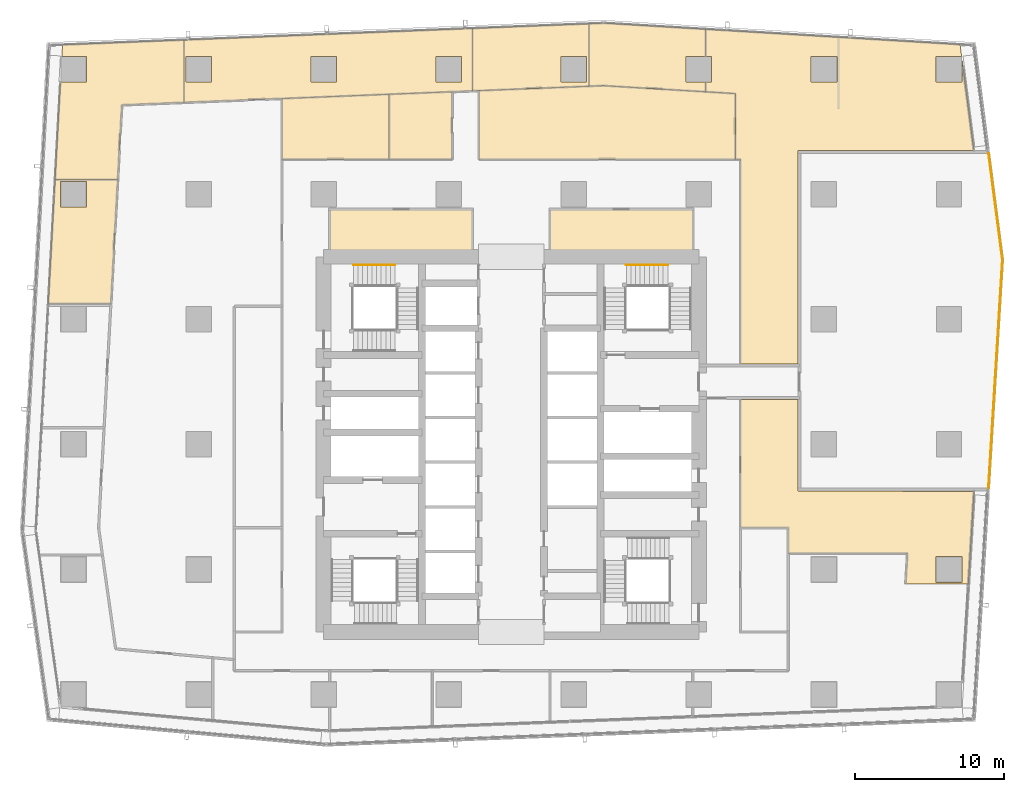
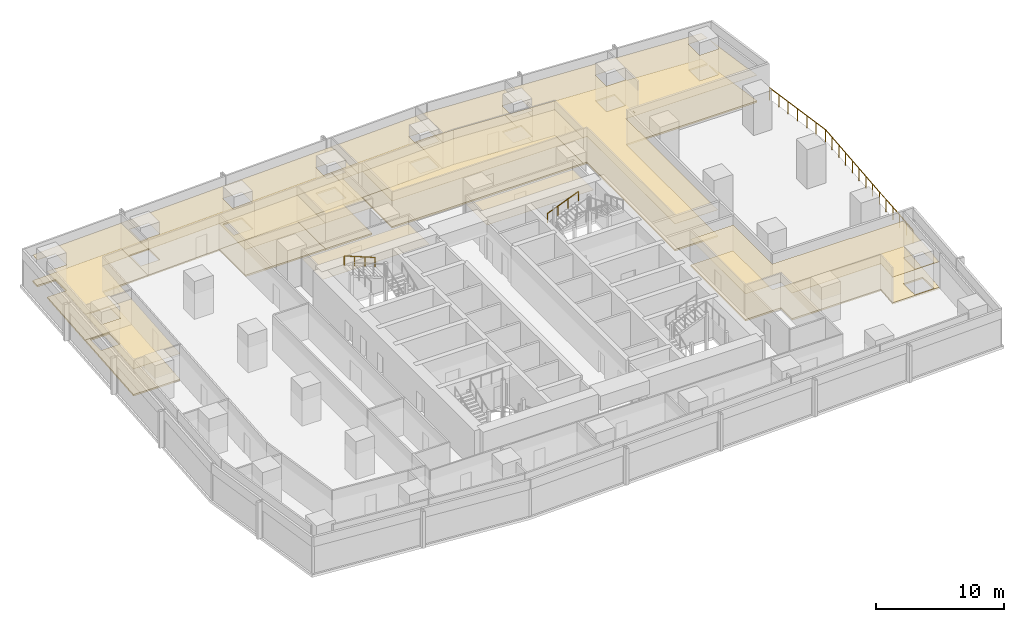
# One storey, part 40 of 40: 22 coverings, 3 railings.
"""IFC4 building model written with IfcOpenShell, lengths in metres."""

from ifc_helpers import new_model, si_unit, direction, frame, origin, origin_2d, place, context, subcontext, project, spatial, polyline, circle, outline, extrude, material, layer, layer_set, type_object, element, save


model = new_model("IFC4")

# Units and contexts
model_context = context("Model", 3, precision=1e-05, world=origin(), true_north=direction((0.0, 1.0)))
body_context = subcontext(model_context, "Body", "Model", "MODEL_VIEW")
ifc_project = project(units=[si_unit("LENGTHUNIT", "METRE"), si_unit("AREAUNIT", "SQUARE_METRE"), si_unit("VOLUMEUNIT", "CUBIC_METRE"), si_unit("PLANEANGLEUNIT", "RADIAN"), si_unit("MASSUNIT", "GRAM", prefix="KILO")], contexts=[model_context])

# Site, building, storey
site_placement = place(None, origin())
site = spatial("IfcSite", under=ifc_project, at=site_placement, CompositionType="ELEMENT")
building_placement = place(site_placement, origin())
building = spatial("IfcBuilding", under=site, at=building_placement, Name="Rekha Terrace Tower", CompositionType="ELEMENT")
storey_placement = place(building_placement, frame((0.0, 0.0, 129.050048828125)))
storey = spatial("IfcBuildingStorey", under=building, at=storey_placement, Name="L32", CompositionType="ELEMENT", Elevation=129.050048828125)

# Coverings
ifc_material_1 = material(Name="Mineral fibre tile in exposed grid", Category="finish")
ifc_layer_1 = layer(ifc_material_1, 0.02001953125)
ifc_layer_set_1 = layer_set([ifc_layer_1], Name="Mineral fibre tile in exposed grid")
covering_type_1 = type_object("IfcCoveringType", Name="CL1 600x1200 office grid ceiling", PredefinedType="CEILING", material=ifc_layer_set_1)
covering_1_placement = place(storey_placement, frame((0.0, 0.0, 2.579833984375)))
element("IfcCovering", 1, at=covering_1_placement, inside=storey, type_object=covering_type_1, Name="Ceiling L32-02", PredefinedType="CEILING", context=body_context, shape_type="SweptSolid", body=[
    extrude(outline(polyline([(64.083984375, 30.47705078125), (57.049072265625, 30.47705078125), (57.049072265625, 36.59912109375), (53.199951171875, 36.59912109375), (53.199951171875, 28.0), (56.39990234375, 28.0), (56.39990234375, 26.277099609375), (64.4208984375, 26.277099609375), (64.2958984375, 24.23291015625), (68.50390625, 24.23291015625), (68.885009765625, 30.445068359375), (64.083984375, 30.445068359375), (64.083984375, 30.47705078125)]), holes=[polyline([(68.06494140625, 24.3349609375), (66.3349609375, 24.3349609375), (66.3349609375, 26.06494140625), (68.06494140625, 26.06494140625), (68.06494140625, 24.3349609375)])]), origin(), (0.0, 0.0, 1.0), 0.02001953125),
])
covering_2_placement = place(storey_placement, frame((0.0, 0.0, 2.579833984375)))
element("IfcCovering", 2, at=covering_2_placement, inside=storey, type_object=covering_type_1, Name="Ceiling L32-03", PredefinedType="CEILING", context=body_context, shape_type="SweptSolid", body=[
    extrude(outline(polyline([(52.84912109375, 52.75), (53.199951171875, 52.75), (53.199951171875, 39.0009765625), (57.049072265625, 39.0009765625), (57.049072265625, 53.325927734375), (64.073974609375, 53.326904296875), (68.8779296875, 53.326904296875), (68.0849609375, 59.416015625), (68.06494140625, 59.4150390625), (68.06494140625, 57.93505859375), (66.3349609375, 57.93505859375), (66.3349609375, 59.6650390625), (68.052978515625, 59.6650390625), (67.948974609375, 60.462890625), (59.7880859375, 60.952880859375), (59.7880859375, 56.154052734375), (59.787109375, 56.154052734375), (59.787109375, 60.9541015625), (50.85302734375, 61.489990234375), (50.85302734375, 59.6650390625), (51.264892578125, 59.6650390625), (51.264892578125, 57.93505859375), (50.85302734375, 57.93505859375), (50.85302734375, 57.282958984375), (52.84912109375, 57.1630859375), (52.84912109375, 52.75)]), holes=[polyline([(59.6650390625, 57.93505859375), (57.93505859375, 57.93505859375), (57.93505859375, 59.6650390625), (59.6650390625, 59.6650390625), (59.6650390625, 57.93505859375)])]), origin(), (0.0, 0.0, 1.0), 0.02001953125),
])
covering_3_placement = place(storey_placement, frame((0.0, 0.0, 2.579833984375)))
element("IfcCovering", 3, at=covering_3_placement, inside=storey, type_object=covering_type_1, Name="Ceiling L32-04", PredefinedType="CEILING", context=body_context, shape_type="SweptSolid", body=[
    extrude(outline(polyline([(44.0380859375, 61.89990234375), (43.02392578125, 61.85888671875), (43.02392578125, 57.656005859375), (43.99609375, 57.695068359375), (50.85205078125, 57.282958984375), (50.85205078125, 57.93505859375), (49.534912109375, 57.93505859375), (49.534912109375, 59.6650390625), (50.85205078125, 59.6650390625), (50.85205078125, 61.490966796875), (44.0380859375, 61.89990234375)])), origin(), (0.0, 0.0, 1.0), 0.02001953125),
])
covering_4_placement = place(storey_placement, frame((0.0, 0.0, 2.579833984375)))
element("IfcCovering", 4, at=covering_4_placement, inside=storey, type_object=covering_type_1, Name="Ceiling L32-05", PredefinedType="CEILING", context=body_context, shape_type="SweptSolid", body=[
    extrude(outline(polyline([(35.198974609375, 61.5458984375), (35.198974609375, 57.342041015625), (35.56689453125, 57.35693359375), (35.6259765625, 57.360107421875), (43.02294921875, 57.656005859375), (43.02294921875, 61.85888671875), (35.198974609375, 61.5458984375)]), holes=[polyline([(42.864990234375, 57.93505859375), (41.135009765625, 57.93505859375), (41.135009765625, 59.6650390625), (42.864990234375, 59.6650390625), (42.864990234375, 57.93505859375)])]), origin(), (0.0, 0.0, 1.0), 0.02001953125),
])
covering_5_placement = place(storey_placement, frame((0.0, 0.0, 2.579833984375)))
element("IfcCovering", 5, at=covering_5_placement, inside=storey, type_object=covering_type_1, Name="Ceiling L32-06", PredefinedType="CEILING", context=body_context, shape_type="SweptSolid", body=[
    extrude(outline(polyline([(35.197998046875, 61.5458984375), (25.60302734375, 61.160888671875), (15.81494140625, 60.76904296875), (15.81494140625, 56.56591796875), (25.59912109375, 56.9580078125), (35.197998046875, 57.342041015625), (35.197998046875, 61.5458984375)]), holes=[polyline([(34.465087890625, 57.93505859375), (32.735107421875, 57.93505859375), (32.735107421875, 59.6650390625), (34.465087890625, 59.6650390625), (34.465087890625, 57.93505859375)]), polyline([(26.06494140625, 57.93505859375), (24.3349609375, 57.93505859375), (24.3349609375, 59.6650390625), (26.06494140625, 59.6650390625), (26.06494140625, 57.93505859375)]), polyline([(17.6650390625, 57.93505859375), (15.93505859375, 57.93505859375), (15.93505859375, 59.6650390625), (17.6650390625, 59.6650390625), (17.6650390625, 57.93505859375)])]), origin(), (0.0, 0.0, 1.0), 0.02001953125),
])
covering_6_placement = place(storey_placement, frame((0.0, 0.0, 2.579833984375)))
element("IfcCovering", 6, at=covering_6_placement, inside=storey, type_object=covering_type_1, Name="Ceiling L32-07", PredefinedType="CEILING", context=body_context, shape_type="SweptSolid", body=[
    extrude(outline(polyline([(7.51611328125, 57.93505859375), (7.156005859375, 51.37890625), (11.362060546875, 51.37890625), (11.637939453125, 56.39794921875), (15.81396484375, 56.56591796875), (15.81396484375, 60.76904296875), (7.653076171875, 60.44189453125), (7.610107421875, 59.6650390625), (9.264892578125, 59.6650390625), (9.264892578125, 57.93505859375), (7.51611328125, 57.93505859375)])), origin(), (0.0, 0.0, 1.0), 0.02001953125),
])
covering_7_placement = place(storey_placement, frame((0.0, 0.0, 2.579833984375)))
element("IfcCovering", 7, at=covering_7_placement, inside=storey, type_object=covering_type_1, Name="Ceiling L32-08", PredefinedType="CEILING", context=body_context, shape_type="SweptSolid", body=[
    extrude(outline(polyline([(11.362060546875, 51.3779296875), (7.156005859375, 51.3779296875), (6.698974609375, 43.0458984375), (10.905029296875, 43.0458984375), (11.362060546875, 51.3779296875)]), holes=[polyline([(9.264892578125, 51.264892578125), (9.264892578125, 49.534912109375), (7.534912109375, 49.534912109375), (7.534912109375, 51.264892578125), (9.264892578125, 51.264892578125)])]), origin(), (0.0, 0.0, 1.0), 0.02001953125),
])
covering_8_placement = place(storey_placement, frame((0.0, 0.0, 2.579833984375)))
element("IfcCovering", 8, at=covering_8_placement, inside=storey, type_object=covering_type_1, Name="Ceiling L32-09", PredefinedType="CEILING", context=body_context, shape_type="SweptSolid", body=[
    extrude(outline(polyline([(22.39990234375, 52.75), (29.60009765625, 52.75), (29.60009765625, 57.117919921875), (25.31103515625, 56.946044921875), (22.39990234375, 56.830078125), (22.39990234375, 52.75)])), origin(), (0.0, 0.0, 1.0), 0.02001953125),
])
covering_9_placement = place(storey_placement, frame((0.0, 0.0, 2.579833984375)))
element("IfcCovering", 9, at=covering_9_placement, inside=storey, type_object=covering_type_1, Name="Ceiling L32-10", PredefinedType="CEILING", context=body_context, shape_type="SweptSolid", body=[
    extrude(outline(polyline([(33.825927734375, 52.75), (33.825927734375, 57.287109375), (32.60009765625, 57.238037109375), (29.60009765625, 57.117919921875), (29.60009765625, 52.75), (33.825927734375, 52.75)])), origin(), (0.0, 0.0, 1.0), 0.02001953125),
])
covering_10_placement = place(storey_placement, frame((0.0, 0.0, 2.579833984375)))
element("IfcCovering", 10, at=covering_10_placement, inside=storey, type_object=covering_type_1, Name="Ceiling L32-O2", PredefinedType="CEILING", context=body_context, shape_type="SweptSolid", body=[
    extrude(outline(polyline([(43.99609375, 57.695068359375), (43.02392578125, 57.656005859375), (35.6259765625, 57.360107421875), (35.6259765625, 52.75), (52.84912109375, 52.75), (52.84912109375, 57.1630859375), (50.85205078125, 57.282958984375), (43.99609375, 57.695068359375)])), origin(), (0.0, 0.0, 1.0), 0.02001953125),
])
ifc_material_2 = material(Name="Fibre cement board", Category="finish")
ifc_layer_2 = layer(ifc_material_2, 0.014892578125)
ifc_layer_set_2 = layer_set([ifc_layer_2], Name="Fibre cement board")
covering_type_2 = type_object("IfcCoveringType", Name="CL2 moisture-resistant board ceiling", PredefinedType="CEILING", material=ifc_layer_set_2)
covering_11_placement = place(storey_placement, frame((0.0, 0.0, 2.5849609375)))
element("IfcCovering", 11, at=covering_11_placement, inside=storey, type_object=covering_type_2, Name="Ceiling L32-WCF", PredefinedType="CEILING", context=body_context, shape_type="SweptSolid", body=[
    extrude(outline(polyline([(50.0, 49.39990234375), (40.39990234375, 49.39990234375), (40.39990234375, 46.199951171875), (50.0, 46.199951171875), (50.0, 49.39990234375)])), origin(), (0.0, 0.0, 1.0), 0.014892578125),
])
covering_12_placement = place(storey_placement, frame((0.0, 0.0, 2.5849609375)))
element("IfcCovering", 12, at=covering_12_placement, inside=storey, type_object=covering_type_2, Name="Ceiling L32-WCF2", PredefinedType="CEILING", context=body_context, shape_type="SweptSolid", body=[
    extrude(outline(polyline([(35.199951171875, 49.39990234375), (25.60009765625, 49.39990234375), (25.60009765625, 46.199951171875), (35.199951171875, 46.199951171875), (35.199951171875, 49.39990234375)])), origin(), (0.0, 0.0, 1.0), 0.014892578125),
])

# Railings
ifc_material_3 = material(Name="Steel guard with vertical balusters", Category="steel")
railing_type_1 = type_object("IfcRailingType", Name="GR2 refuge area guard 1200", PredefinedType="GUARDRAIL", material=ifc_material_3)
railing_1_placement = place(storey_placement, frame((69.860107421875, 30.677978515625, 0.0)))
element("IfcRailing", 13, at=railing_1_placement, inside=storey, type_object=railing_type_1, Name="Refuge area guard L32", PredefinedType="GUARDRAIL", context=body_context, shape_type="SweptSolid", body=[
    extrude(circle(Radius=0.02392578125, at=origin_2d()), frame((0.0, 0.0, 1.17578125), z_axis=(0.061211242772, 0.998124833755, 0.0), x_axis=(-0.998124833755, 0.061211242772, 0.0)), (0.0, 0.0, 1.0), 15.355712890625),
    extrude(circle(Radius=0.02392578125, at=origin_2d()), frame((0.93994140625, 15.326904296875, 1.17578125), z_axis=(-0.129238885934, 0.991613488393, 0.0), x_axis=(-0.991613488393, -0.129238885934, 0.0)), (0.0, 0.0, 1.0), 7.180419921875),
    extrude(circle(Radius=0.02099609375, at=origin_2d()), origin(), (0.0, 0.0, 1.0), 1.15185546875),
    extrude(circle(Radius=0.02099609375, at=origin_2d()), frame((0.072265625, 1.178955078125, 0.0)), (0.0, 0.0, 1.0), 1.15185546875),
    extrude(circle(Radius=0.02099609375, at=origin_2d()), frame((0.14453125, 2.35791015625, 0.0)), (0.0, 0.0, 1.0), 1.15185546875),
    extrude(circle(Radius=0.02099609375, at=origin_2d()), frame((0.216796875, 3.536865234375, 0.0)), (0.0, 0.0, 1.0), 1.15185546875),
    extrude(circle(Radius=0.02099609375, at=origin_2d()), frame((0.289306640625, 4.716064453125, 0.0)), (0.0, 0.0, 1.0), 1.15185546875),
    extrude(circle(Radius=0.02099609375, at=origin_2d()), frame((0.361572265625, 5.89501953125, 0.0)), (0.0, 0.0, 1.0), 1.15185546875),
    extrude(circle(Radius=0.02099609375, at=origin_2d()), frame((0.433837890625, 7.073974609375, 0.0)), (0.0, 0.0, 1.0), 1.15185546875),
    extrude(circle(Radius=0.02099609375, at=origin_2d()), frame((0.506103515625, 8.2529296875, 0.0)), (0.0, 0.0, 1.0), 1.15185546875),
    extrude(circle(Radius=0.02099609375, at=origin_2d()), frame((0.578369140625, 9.431884765625, 0.0)), (0.0, 0.0, 1.0), 1.15185546875),
    extrude(circle(Radius=0.02099609375, at=origin_2d()), frame((0.650634765625, 10.61083984375, 0.0)), (0.0, 0.0, 1.0), 1.15185546875),
    extrude(circle(Radius=0.02099609375, at=origin_2d()), frame((0.72314453125, 11.7900390625, 0.0)), (0.0, 0.0, 1.0), 1.15185546875),
    extrude(circle(Radius=0.02099609375, at=origin_2d()), frame((0.79541015625, 12.968994140625, 0.0)), (0.0, 0.0, 1.0), 1.15185546875),
    extrude(circle(Radius=0.02099609375, at=origin_2d()), frame((0.86767578125, 14.14794921875, 0.0)), (0.0, 0.0, 1.0), 1.15185546875),
    extrude(circle(Radius=0.02099609375, at=origin_2d()), frame((0.93994140625, 15.326904296875, 0.0)), (0.0, 0.0, 1.0), 1.15185546875),
    extrude(circle(Radius=0.02099609375, at=origin_2d()), frame((0.78515625, 16.513671875, 0.0)), (0.0, 0.0, 1.0), 1.15185546875),
    extrude(circle(Radius=0.02099609375, at=origin_2d()), frame((0.630615234375, 17.7001953125, 0.0)), (0.0, 0.0, 1.0), 1.15185546875),
    extrude(circle(Radius=0.02099609375, at=origin_2d()), frame((0.47607421875, 18.886962890625, 0.0)), (0.0, 0.0, 1.0), 1.15185546875),
    extrude(circle(Radius=0.02099609375, at=origin_2d()), frame((0.3212890625, 20.07373046875, 0.0)), (0.0, 0.0, 1.0), 1.15185546875),
    extrude(circle(Radius=0.02099609375, at=origin_2d()), frame((0.16650390625, 21.26025390625, 0.0)), (0.0, 0.0, 1.0), 1.15185546875),
    extrude(circle(Radius=0.02099609375, at=origin_2d()), frame((0.011962890625, 22.447021484375, 0.0)), (0.0, 0.0, 1.0), 1.15185546875),
])
ifc_material_4 = material(Name="Stainless steel tube", Category="steel")
railing_type_2 = type_object("IfcRailingType", Name="HR1 900 stair handrail", PredefinedType="HANDRAIL", material=ifc_material_4)
railing_2_placement = place(storey_placement, frame((45.52490234375, 45.639892578125, 1.375)))
element("IfcRailing", 14, at=railing_2_placement, inside=storey, type_object=railing_type_2, Name="Handrail ST2 L32 flight 2", PredefinedType="HANDRAIL", context=body_context, shape_type="SweptSolid", body=[
    extrude(circle(Radius=0.02392578125, at=origin_2d()), frame((0.0, 0.0, 0.8759765625), z_axis=(0.927443287984, 0.0, 0.373963831907), x_axis=(0.0, 1.0, 0.0)), (0.0, 0.0, 1.0), 3.00830078125),
    extrude(circle(Radius=0.02099609375, at=origin_2d()), origin(), (0.0, 0.0, 1.0), 0.851806640625),
    extrude(circle(Radius=0.02099609375, at=origin_2d()), frame((0.929931640625, 0.0, 0.375)), (0.0, 0.0, 1.0), 0.851806640625),
    extrude(circle(Radius=0.02099609375, at=origin_2d()), frame((1.860107421875, 0.0, 0.75)), (0.0, 0.0, 1.0), 0.851806640625),
    extrude(circle(Radius=0.02099609375, at=origin_2d()), frame((2.7900390625, 0.0, 1.125)), (0.0, 0.0, 1.0), 0.851806640625),
])
railing_3_placement = place(storey_placement, frame((29.989990234375, 45.639892578125, 2.625)))
element("IfcRailing", 15, at=railing_3_placement, inside=storey, type_object=railing_type_2, Name="Handrail ST4 L32 flight 3", PredefinedType="HANDRAIL", context=body_context, shape_type="SweptSolid", body=[
    extrude(circle(Radius=0.02392578125, at=origin_2d()), frame((0.0, 0.0, 0.8759765625), z_axis=(-0.927443287984, 0.0, 0.373963831907), x_axis=(0.0, -1.0, 0.0)), (0.0, 0.0, 1.0), 3.00830078125),
    extrude(circle(Radius=0.02099609375, at=origin_2d()), origin(), (0.0, 0.0, 1.0), 0.851806640625),
    extrude(circle(Radius=0.02099609375, at=origin_2d()), frame((-0.929931640625, 0.0, 0.375)), (0.0, 0.0, 1.0), 0.851806640625),
    extrude(circle(Radius=0.02099609375, at=origin_2d()), frame((-1.860107421875, 0.0, 0.75)), (0.0, 0.0, 1.0), 0.851806640625),
    extrude(circle(Radius=0.02099609375, at=origin_2d()), frame((-2.7900390625, 0.0, 1.125)), (0.0, 0.0, 1.0), 0.851806640625),
])

# Coverings
ifc_material_5 = material(Name="Calcium sulphate panels on steel pedestals", Category="steel")
ifc_layer_3 = layer(ifc_material_5, 0.14990234375)
ifc_layer_set_3 = layer_set([ifc_layer_3], Name="Calcium sulphate panels on steel pedestals")
covering_type_3 = type_object("IfcCoveringType", Name="RF1 150 raised access floor", PredefinedType="FLOORING", material=ifc_layer_set_3)
covering_13_placement = place(storey_placement, origin())
element("IfcCovering", 16, at=covering_13_placement, inside=storey, type_object=covering_type_3, Name="Raised floor L32-02", PredefinedType="FLOORING", context=body_context, shape_type="SweptSolid", body=[
    extrude(outline(polyline([(64.083984375, 30.47705078125), (57.049072265625, 30.47705078125), (57.049072265625, 36.59912109375), (53.199951171875, 36.59912109375), (53.199951171875, 28.0), (56.39990234375, 28.0), (56.39990234375, 26.277099609375), (64.4208984375, 26.277099609375), (64.2958984375, 24.23291015625), (68.50390625, 24.23291015625), (68.885009765625, 30.445068359375), (64.083984375, 30.445068359375), (64.083984375, 30.47705078125)]), holes=[polyline([(68.06494140625, 24.3349609375), (66.3349609375, 24.3349609375), (66.3349609375, 26.06494140625), (68.06494140625, 26.06494140625), (68.06494140625, 24.3349609375)])]), origin(), (0.0, 0.0, 1.0), 0.14990234375),
])
covering_14_placement = place(storey_placement, origin())
element("IfcCovering", 17, at=covering_14_placement, inside=storey, type_object=covering_type_3, Name="Raised floor L32-03", PredefinedType="FLOORING", context=body_context, shape_type="SweptSolid", body=[
    extrude(outline(polyline([(52.84912109375, 52.75), (53.199951171875, 52.75), (53.199951171875, 39.0009765625), (57.049072265625, 39.0009765625), (57.049072265625, 53.325927734375), (64.073974609375, 53.326904296875), (68.8779296875, 53.326904296875), (68.0849609375, 59.416015625), (68.06494140625, 59.4150390625), (68.06494140625, 57.93505859375), (66.3349609375, 57.93505859375), (66.3349609375, 59.6650390625), (68.052978515625, 59.6650390625), (67.948974609375, 60.462890625), (59.7880859375, 60.952880859375), (59.7880859375, 56.154052734375), (59.787109375, 56.154052734375), (59.787109375, 60.9541015625), (50.85302734375, 61.489990234375), (50.85302734375, 59.6650390625), (51.264892578125, 59.6650390625), (51.264892578125, 57.93505859375), (50.85302734375, 57.93505859375), (50.85302734375, 57.282958984375), (52.84912109375, 57.1630859375), (52.84912109375, 52.75)]), holes=[polyline([(59.6650390625, 57.93505859375), (57.93505859375, 57.93505859375), (57.93505859375, 59.6650390625), (59.6650390625, 59.6650390625), (59.6650390625, 57.93505859375)])]), origin(), (0.0, 0.0, 1.0), 0.14990234375),
])
covering_15_placement = place(storey_placement, origin())
element("IfcCovering", 18, at=covering_15_placement, inside=storey, type_object=covering_type_3, Name="Raised floor L32-04", PredefinedType="FLOORING", context=body_context, shape_type="SweptSolid", body=[
    extrude(outline(polyline([(44.0380859375, 61.89990234375), (43.02392578125, 61.85888671875), (43.02392578125, 57.656005859375), (43.99609375, 57.695068359375), (50.85205078125, 57.282958984375), (50.85205078125, 57.93505859375), (49.534912109375, 57.93505859375), (49.534912109375, 59.6650390625), (50.85205078125, 59.6650390625), (50.85205078125, 61.490966796875), (44.0380859375, 61.89990234375)])), origin(), (0.0, 0.0, 1.0), 0.14990234375),
])
covering_16_placement = place(storey_placement, origin())
element("IfcCovering", 19, at=covering_16_placement, inside=storey, type_object=covering_type_3, Name="Raised floor L32-05", PredefinedType="FLOORING", context=body_context, shape_type="SweptSolid", body=[
    extrude(outline(polyline([(35.198974609375, 61.5458984375), (35.198974609375, 57.342041015625), (35.56689453125, 57.35693359375), (35.6259765625, 57.360107421875), (43.02294921875, 57.656005859375), (43.02294921875, 61.85888671875), (35.198974609375, 61.5458984375)]), holes=[polyline([(42.864990234375, 57.93505859375), (41.135009765625, 57.93505859375), (41.135009765625, 59.6650390625), (42.864990234375, 59.6650390625), (42.864990234375, 57.93505859375)])]), origin(), (0.0, 0.0, 1.0), 0.14990234375),
])
covering_17_placement = place(storey_placement, origin())
element("IfcCovering", 20, at=covering_17_placement, inside=storey, type_object=covering_type_3, Name="Raised floor L32-06", PredefinedType="FLOORING", context=body_context, shape_type="SweptSolid", body=[
    extrude(outline(polyline([(35.197998046875, 61.5458984375), (25.60302734375, 61.160888671875), (15.81494140625, 60.76904296875), (15.81494140625, 56.56591796875), (25.59912109375, 56.9580078125), (35.197998046875, 57.342041015625), (35.197998046875, 61.5458984375)]), holes=[polyline([(34.465087890625, 57.93505859375), (32.735107421875, 57.93505859375), (32.735107421875, 59.6650390625), (34.465087890625, 59.6650390625), (34.465087890625, 57.93505859375)]), polyline([(26.06494140625, 57.93505859375), (24.3349609375, 57.93505859375), (24.3349609375, 59.6650390625), (26.06494140625, 59.6650390625), (26.06494140625, 57.93505859375)]), polyline([(17.6650390625, 57.93505859375), (15.93505859375, 57.93505859375), (15.93505859375, 59.6650390625), (17.6650390625, 59.6650390625), (17.6650390625, 57.93505859375)])]), origin(), (0.0, 0.0, 1.0), 0.14990234375),
])
covering_18_placement = place(storey_placement, origin())
element("IfcCovering", 21, at=covering_18_placement, inside=storey, type_object=covering_type_3, Name="Raised floor L32-07", PredefinedType="FLOORING", context=body_context, shape_type="SweptSolid", body=[
    extrude(outline(polyline([(7.51611328125, 57.93505859375), (7.156005859375, 51.37890625), (11.362060546875, 51.37890625), (11.637939453125, 56.39794921875), (15.81396484375, 56.56591796875), (15.81396484375, 60.76904296875), (7.653076171875, 60.44189453125), (7.610107421875, 59.6650390625), (9.264892578125, 59.6650390625), (9.264892578125, 57.93505859375), (7.51611328125, 57.93505859375)])), origin(), (0.0, 0.0, 1.0), 0.14990234375),
])
covering_19_placement = place(storey_placement, origin())
element("IfcCovering", 22, at=covering_19_placement, inside=storey, type_object=covering_type_3, Name="Raised floor L32-08", PredefinedType="FLOORING", context=body_context, shape_type="SweptSolid", body=[
    extrude(outline(polyline([(11.362060546875, 51.3779296875), (7.156005859375, 51.3779296875), (6.698974609375, 43.0458984375), (10.905029296875, 43.0458984375), (11.362060546875, 51.3779296875)]), holes=[polyline([(9.264892578125, 51.264892578125), (9.264892578125, 49.534912109375), (7.534912109375, 49.534912109375), (7.534912109375, 51.264892578125), (9.264892578125, 51.264892578125)])]), origin(), (0.0, 0.0, 1.0), 0.14990234375),
])
covering_20_placement = place(storey_placement, origin())
element("IfcCovering", 23, at=covering_20_placement, inside=storey, type_object=covering_type_3, Name="Raised floor L32-09", PredefinedType="FLOORING", context=body_context, shape_type="SweptSolid", body=[
    extrude(outline(polyline([(22.39990234375, 52.75), (29.60009765625, 52.75), (29.60009765625, 57.117919921875), (25.31103515625, 56.946044921875), (22.39990234375, 56.830078125), (22.39990234375, 52.75)])), origin(), (0.0, 0.0, 1.0), 0.14990234375),
])
covering_21_placement = place(storey_placement, origin())
element("IfcCovering", 24, at=covering_21_placement, inside=storey, type_object=covering_type_3, Name="Raised floor L32-10", PredefinedType="FLOORING", context=body_context, shape_type="SweptSolid", body=[
    extrude(outline(polyline([(33.825927734375, 52.75), (33.825927734375, 57.287109375), (32.60009765625, 57.238037109375), (29.60009765625, 57.117919921875), (29.60009765625, 52.75), (33.825927734375, 52.75)])), origin(), (0.0, 0.0, 1.0), 0.14990234375),
])
covering_22_placement = place(storey_placement, origin())
element("IfcCovering", 25, at=covering_22_placement, inside=storey, type_object=covering_type_3, Name="Raised floor L32-O2", PredefinedType="FLOORING", context=body_context, shape_type="SweptSolid", body=[
    extrude(outline(polyline([(43.99609375, 57.695068359375), (43.02392578125, 57.656005859375), (35.6259765625, 57.360107421875), (35.6259765625, 52.75), (52.84912109375, 52.75), (52.84912109375, 57.1630859375), (50.85205078125, 57.282958984375), (43.99609375, 57.695068359375)])), origin(), (0.0, 0.0, 1.0), 0.14990234375),
])

save(model, "model.ifc")
